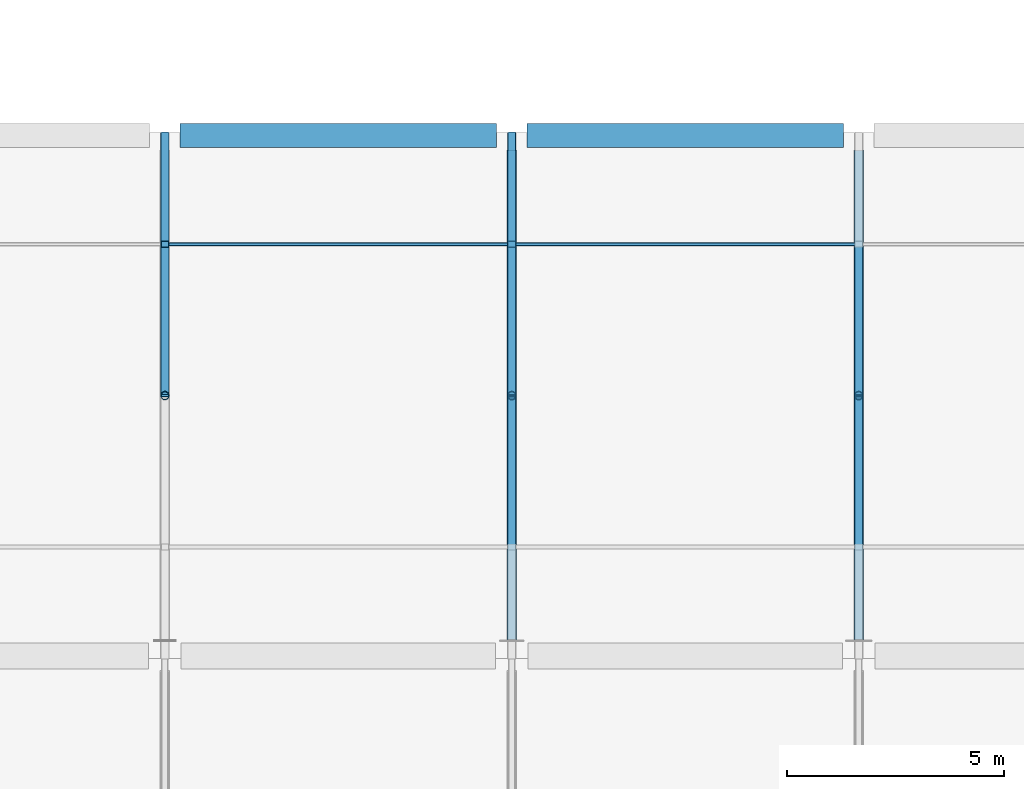
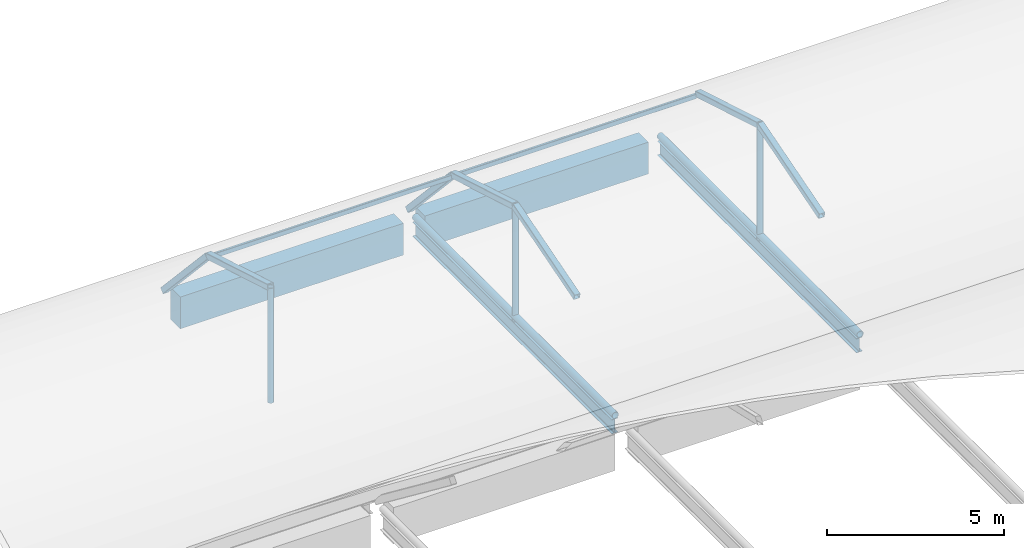
# One storey, part 39 of 57: 14 members, 4 beams.
"""IFC4 building model written with IfcOpenShell, lengths in metres."""

from ifc_helpers import new_model, si_unit, direction, frame, origin, origin_2d, place, context, subcontext, project, spatial, rectangle, hollow_rectangle, hollow_circle, i_section, extrude, material, material_profile, profile_set, type_object, element, save


model = new_model("IFC4")

# Units and contexts
model_context = context("Model", 3, precision=1e-05, world=origin(), true_north=direction((0.0, 1.0)))
body_context = subcontext(model_context, "Body", "Model", "MODEL_VIEW")
ifc_project = project(units=[si_unit("LENGTHUNIT", "METRE"), si_unit("AREAUNIT", "SQUARE_METRE"), si_unit("VOLUMEUNIT", "CUBIC_METRE"), si_unit("PLANEANGLEUNIT", "RADIAN"), si_unit("MASSUNIT", "GRAM", prefix="KILO"), si_unit("THERMODYNAMICTEMPERATUREUNIT", "KELVIN"), si_unit("POWERUNIT", "WATT")], contexts=[model_context])

# Site, building, storey
site_placement = place(None, origin())
site = spatial("IfcSite", under=ifc_project, at=site_placement, CompositionType="ELEMENT")
building_placement = place(site_placement, origin())
building = spatial("IfcBuilding", under=site, at=building_placement, Name="Kronsvod Quay Wholesale Market", CompositionType="ELEMENT")
storey_placement = place(building_placement, frame((0.0, 0.0, 13.199951171875)))
storey = spatial("IfcBuildingStorey", under=building, at=storey_placement, Name="L03", CompositionType="ELEMENT", Elevation=13.199951171875)

# Beams
ifc_material_1 = material(Name="Precast concrete C40/50", Category="concrete")
ifc_material_profile_1 = material_profile(ifc_material_1, rectangle(XDim=0.550048828125, YDim=1.10009765625, at=origin_2d()), Name="PCVG550x1100")
ifc_profile_set_1 = profile_set([ifc_material_profile_1], Name="Precast concrete C40/50")
beam_type_1 = type_object("IfcBeamType", Name="Girder_PCVG550x1100", PredefinedType="T_BEAM", material=ifc_profile_set_1)
for number, where, z_axis, x_axis, name in (
    (1, (160.35009765625, 90.0, -0.77001953125), (1.0, 0.0, 0.0), (0.0, 1.0, 0.0), "BMX-L03-1600-900"),
    (2, (168.35009765625, 90.0, -0.77001953125), (1.0, 0.0, 0.0), (0.0, 1.0, 0.0), "BMX-L03-1680-900"),
):
    element("IfcBeam", number, at=place(storey_placement, frame(where, z_axis=z_axis, x_axis=x_axis)), inside=storey, type_object=beam_type_1, Name=name, PredefinedType="T_BEAM", context=body_context, shape_type="SweptSolid", body=[
        extrude(rectangle(XDim=0.550048828125, YDim=1.10009765625, at=origin_2d()), origin(), (0.0, 0.0, 1.0), 7.2998046875),
    ])
ifc_material_2 = material(Name="Steel S355", Category="steel")
ifc_material_profile_2 = material_profile(ifc_material_2, i_section(OverallWidth=0.198974609375, OverallDepth=0.49609375, WebThickness=0.009033203125, FlangeThickness=0.013916015625, FilletRadius=0.02001953125, at=origin_2d()), Name="50B1")
ifc_profile_set_2 = profile_set([ifc_material_profile_2], Name="Steel S355")
beam_type_2 = type_object("IfcBeamType", Name="Girder_Steel50B1", PredefinedType="T_BEAM", material=ifc_profile_set_2)
for number, where, z_axis, x_axis, name in (
    (3, (168.0, 78.375, -0.468017578125), (0.0, 1.0, 0.0), (-1.0, 0.0, 0.0), "BMY-L03-1680-780"),
    (4, (176.0, 78.375, -0.468017578125), (0.0, 1.0, 0.0), (-1.0, 0.0, 0.0), "BMY-L03-1760-780"),
):
    element("IfcBeam", number, at=place(storey_placement, frame(where, z_axis=z_axis, x_axis=x_axis)), inside=storey, type_object=beam_type_2, Name=name, PredefinedType="T_BEAM", context=body_context, shape_type="SweptSolid", body=[
        extrude(i_section(OverallWidth=0.198974609375, OverallDepth=0.49609375, WebThickness=0.009033203125, FlangeThickness=0.013916015625, FilletRadius=0.02001953125, at=origin_2d()), origin(), (0.0, 0.0, 1.0), 11.27490234375),
    ])

# Members
ifc_material_3 = material(Name="Steel S355", Category="steel")
ifc_material_profile_3 = material_profile(ifc_material_3, hollow_rectangle(XDim=0.199951171875, YDim=0.199951171875, WallThickness=0.010009765625, InnerFilletRadius=0.010009765625, OuterFilletRadius=0.02001953125, at=origin_2d()), Name="RHS200x200x10")
ifc_profile_set_3 = profile_set([ifc_material_profile_3], Name="Steel S355")
member_type_1 = type_object("IfcMemberType", Name="Member_Arch200x200", PredefinedType="RAFTER", material=ifc_profile_set_3)
member_1_placement = place(storey_placement, frame((160.0, 84.0, 3.739990234375), z_axis=(0.0, 0.95877511068, -0.284165950001), x_axis=(-1.0, 0.0, 0.0)))
element("IfcMember", 5, at=member_1_placement, inside=storey, type_object=member_type_1, Name="ARCG-SH-V2E-N-1600-2", PredefinedType="RAFTER", context=body_context, shape_type="SweptSolid", body=[
    extrude(hollow_rectangle(XDim=0.199951171875, YDim=0.199951171875, WallThickness=0.010009765625, InnerFilletRadius=0.010009765625, OuterFilletRadius=0.02001953125, at=origin_2d()), origin(), (0.0, 0.0, 1.0), 3.64111328125),
])
member_2_placement = place(storey_placement, frame((160.0, 87.490966796875, 2.705322265625), z_axis=(0.0, 0.67865576732, -0.734456499381), x_axis=(-1.0, 0.0, 0.0)))
element("IfcMember", 6, at=member_2_placement, inside=storey, type_object=member_type_1, Name="ARCG-SH-V2E-N-1600-3", PredefinedType="RAFTER", context=body_context, shape_type="SweptSolid", body=[
    extrude(hollow_rectangle(XDim=0.199951171875, YDim=0.199951171875, WallThickness=0.010009765625, InnerFilletRadius=0.010009765625, OuterFilletRadius=0.02001953125, at=origin_2d()), origin(), (0.0, 0.0, 1.0), 3.697021484375),
])
for number, where, z_axis, x_axis, name in (
    (7, (168.0, 80.509033203125, 2.705322265625), (0.0, 0.95877511068, 0.284165950001), (-1.0, 0.0, 0.0), "ARCG-SH-V2E-N-1680-1"),
    (8, (168.0, 84.0, 3.739990234375), (0.0, 0.95877511068, -0.284165950001), (-1.0, 0.0, 0.0), "ARCG-SH-V2E-N-1680-2"),
):
    element("IfcMember", number, at=place(storey_placement, frame(where, z_axis=z_axis, x_axis=x_axis)), inside=storey, type_object=member_type_1, Name=name, PredefinedType="RAFTER", context=body_context, shape_type="SweptSolid", body=[
        extrude(hollow_rectangle(XDim=0.199951171875, YDim=0.199951171875, WallThickness=0.010009765625, InnerFilletRadius=0.010009765625, OuterFilletRadius=0.02001953125, at=origin_2d()), origin(), (0.0, 0.0, 1.0), 3.64111328125),
    ])
member_3_placement = place(storey_placement, frame((168.0, 87.490966796875, 2.705322265625), z_axis=(0.0, 0.67865576732, -0.734456499381), x_axis=(-1.0, 0.0, 0.0)))
element("IfcMember", 9, at=member_3_placement, inside=storey, type_object=member_type_1, Name="ARCG-SH-V2E-N-1680-3", PredefinedType="RAFTER", context=body_context, shape_type="SweptSolid", body=[
    extrude(hollow_rectangle(XDim=0.199951171875, YDim=0.199951171875, WallThickness=0.010009765625, InnerFilletRadius=0.010009765625, OuterFilletRadius=0.02001953125, at=origin_2d()), origin(), (0.0, 0.0, 1.0), 3.697021484375),
])
for number, where, z_axis, x_axis, name in (
    (10, (176.0, 80.509033203125, 2.705322265625), (0.0, 0.95877511068, 0.284165950001), (-1.0, 0.0, 0.0), "ARCG-SH-V2E-N-1760-1"),
    (11, (176.0, 84.0, 3.739990234375), (0.0, 0.95877511068, -0.284165950001), (-1.0, 0.0, 0.0), "ARCG-SH-V2E-N-1760-2"),
):
    element("IfcMember", number, at=place(storey_placement, frame(where, z_axis=z_axis, x_axis=x_axis)), inside=storey, type_object=member_type_1, Name=name, PredefinedType="RAFTER", context=body_context, shape_type="SweptSolid", body=[
        extrude(hollow_rectangle(XDim=0.199951171875, YDim=0.199951171875, WallThickness=0.010009765625, InnerFilletRadius=0.010009765625, OuterFilletRadius=0.02001953125, at=origin_2d()), origin(), (0.0, 0.0, 1.0), 3.64111328125),
    ])
ifc_material_4 = material(Name="Steel S355", Category="steel")
ifc_material_profile_4 = material_profile(ifc_material_4, hollow_circle(Radius=0.096923828125, WallThickness=0.008056640625, at=origin_2d()), Name="CHS194x8")
ifc_profile_set_4 = profile_set([ifc_material_profile_4], Name="Steel S355")
member_type_2 = type_object("IfcMemberType", Name="Member_Brace194x8", PredefinedType="BRACE", material=ifc_profile_set_4)
for number, where, z_axis, x_axis, name in (
    (12, (160.0, 84.0, -0.22998046875), (0.0, 0.0, 1.0), (1.0, 0.0, 0.0), "KPST-SH-V2E-N-1600"),
    (13, (168.0, 84.0, -0.22998046875), (0.0, 0.0, 1.0), (1.0, 0.0, 0.0), "KPST-SH-V2E-N-1680"),
    (14, (176.0, 84.0, -0.22998046875), (0.0, 0.0, 1.0), (1.0, 0.0, 0.0), "KPST-SH-V2E-N-1760"),
):
    element("IfcMember", number, at=place(storey_placement, frame(where, z_axis=z_axis, x_axis=x_axis)), inside=storey, type_object=member_type_2, Name=name, PredefinedType="BRACE", context=body_context, shape_type="SweptSolid", body=[
        extrude(hollow_circle(Radius=0.096923828125, WallThickness=0.008056640625, at=origin_2d()), origin(), (0.0, 0.0, 1.0), 3.969970703125),
    ])
ifc_material_5 = material(Name="Steel S355", Category="steel")
ifc_material_profile_5 = material_profile(ifc_material_5, hollow_circle(Radius=0.109619140625, WallThickness=0.010009765625, at=origin_2d()), Name="CHS219x10")
ifc_profile_set_5 = profile_set([ifc_material_profile_5], Name="Steel S355")
member_type_3 = type_object("IfcMemberType", Name="Member_Chord219x10", PredefinedType="CHORD", material=ifc_profile_set_5)
for number, where, z_axis, x_axis, name in (
    (15, (168.0, 78.340087890625, -0.079833984375), (0.0, 1.0, 0.0), (-1.0, 0.0, 0.0), "CHDG-SH-V2E-N-1680"),
    (16, (176.0, 78.340087890625, -0.079833984375), (0.0, 1.0, 0.0), (-1.0, 0.0, 0.0), "CHDG-SH-V2E-N-1760"),
):
    element("IfcMember", number, at=place(storey_placement, frame(where, z_axis=z_axis, x_axis=x_axis)), inside=storey, type_object=member_type_3, Name=name, PredefinedType="CHORD", context=body_context, shape_type="SweptSolid", body=[
        extrude(hollow_circle(Radius=0.109619140625, WallThickness=0.010009765625, at=origin_2d()), origin(), (0.0, 0.0, 1.0), 11.31982421875),
    ])
ifc_material_6 = material(Name="Steel S355", Category="steel")
ifc_material_profile_6 = material_profile(ifc_material_6, hollow_rectangle(XDim=0.080078125, YDim=0.159912109375, WallThickness=0.006103515625, InnerFilletRadius=0.006103515625, OuterFilletRadius=0.011962890625, at=origin_2d()), Name="RHS160x80x6")
ifc_profile_set_6 = profile_set([ifc_material_profile_6], Name="Steel S355")
member_type_4 = type_object("IfcMemberType", Name="Member_Purlin160x80", PredefinedType="PURLIN", material=ifc_profile_set_6)
for number, where, z_axis, x_axis, name in (
    (17, (160.080078125, 87.490966796875, 2.645263671875), (1.0, 0.0, 0.0), (0.0, 1.0, 0.0), "PRLG-SH-V2E-N-3-1"),
    (18, (168.080078125, 87.490966796875, 2.645263671875), (1.0, 0.0, 0.0), (0.0, 1.0, 0.0), "PRLG-SH-V2E-N-4-1"),
):
    element("IfcMember", number, at=place(storey_placement, frame(where, z_axis=z_axis, x_axis=x_axis)), inside=storey, type_object=member_type_4, Name=name, PredefinedType="PURLIN", context=body_context, shape_type="SweptSolid", body=[
        extrude(hollow_rectangle(XDim=0.080078125, YDim=0.159912109375, WallThickness=0.006103515625, InnerFilletRadius=0.006103515625, OuterFilletRadius=0.011962890625, at=origin_2d()), origin(), (0.0, 0.0, 1.0), 7.83984375),
    ])

save(model, "model.ifc")
